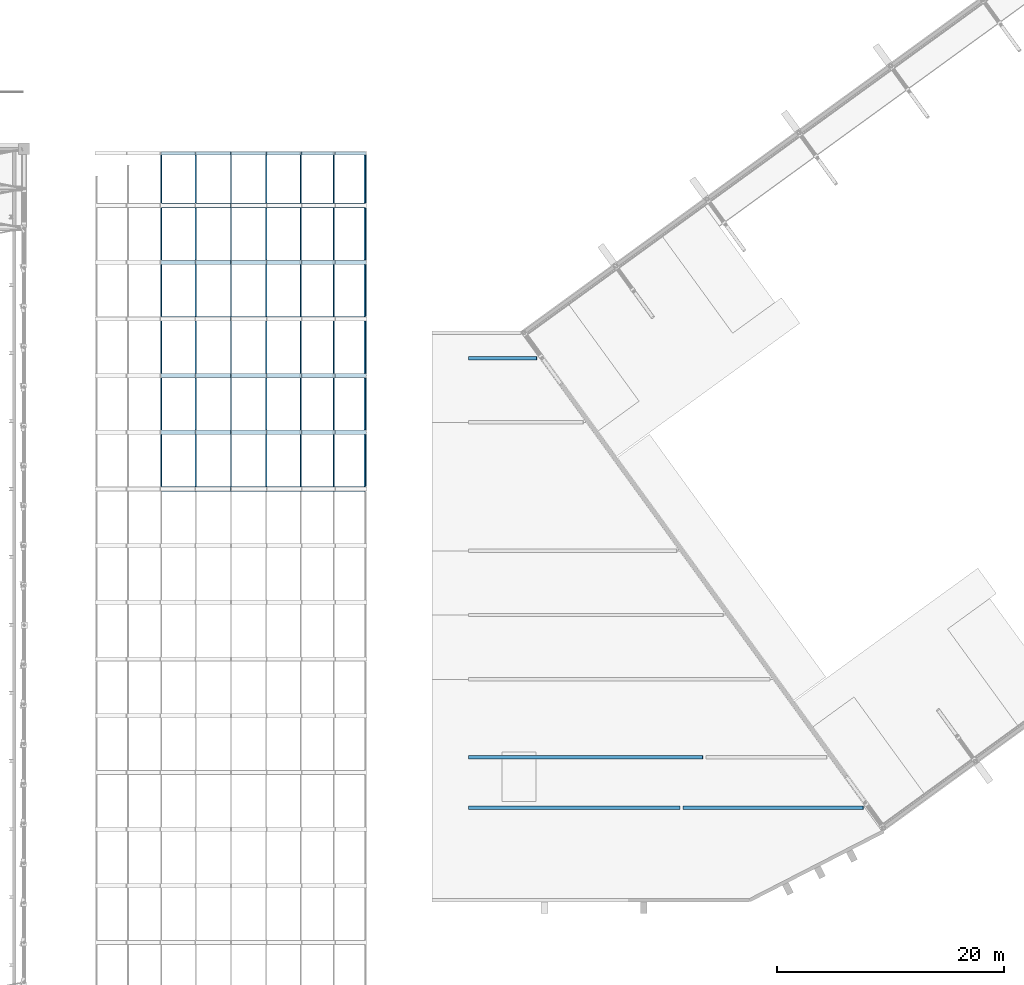
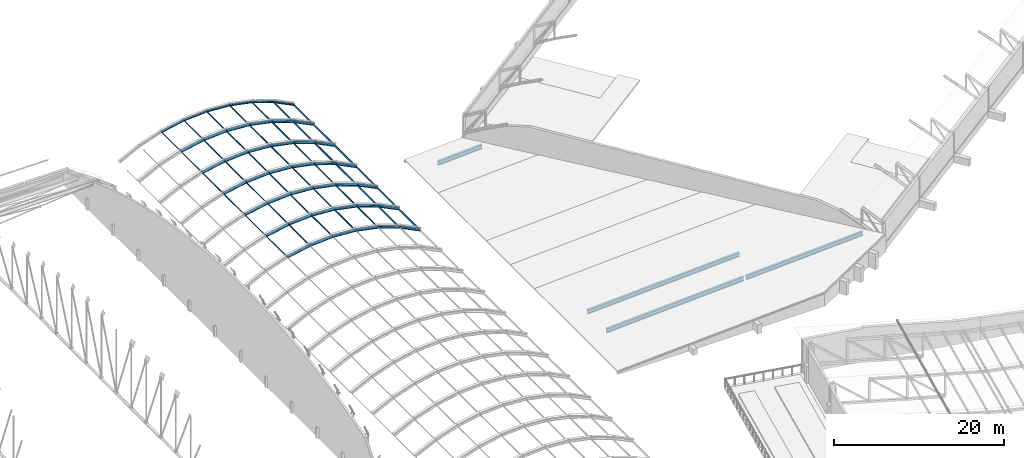
# One storey, part 91 of 196: 84 members, 4 beams.
"""IFC4 building model written with IfcOpenShell, lengths in metres."""

from ifc_helpers import new_model, si_unit, direction, frame, origin, origin_2d, place, context, subcontext, project, spatial, hollow_rectangle, hollow_circle, i_section, extrude, material, material_profile, profile_set, type_object, element, save


model = new_model("IFC4")

# Units and contexts
model_context = context("Model", 3, precision=1e-05, world=origin(), true_north=direction((0.0, 1.0)))
body_context = subcontext(model_context, "Body", "Model", "MODEL_VIEW")
ifc_project = project(units=[si_unit("LENGTHUNIT", "METRE"), si_unit("AREAUNIT", "SQUARE_METRE"), si_unit("VOLUMEUNIT", "CUBIC_METRE"), si_unit("PLANEANGLEUNIT", "RADIAN"), si_unit("MASSUNIT", "GRAM", prefix="KILO")], contexts=[model_context])

# Site, building, storey
site_placement = place(None, origin())
site = spatial("IfcSite", under=ifc_project, at=site_placement, CompositionType="ELEMENT")
building_placement = place(site_placement, origin())
building = spatial("IfcBuilding", under=site, at=building_placement, Name="Okhra Congress Centre", CompositionType="ELEMENT")
storey_placement = place(building_placement, frame((0.0, 0.0, 12.0)))
storey = spatial("IfcBuildingStorey", under=building, at=storey_placement, Name="L02", CompositionType="ELEMENT", Elevation=12.0)

# Beams
ifc_material = material(Name="Steel S355J2", Category="steel")
ifc_material_profile_1 = material_profile(ifc_material, i_section(OverallWidth=0.300048828125, OverallDepth=0.60009765625, WebThickness=0.015380859375, FlangeThickness=0.030029296875, FilletRadius=0.027099609375, at=origin_2d()), Name="HE 600 B")
ifc_profile_set_1 = profile_set([ifc_material_profile_1], Name="Steel S355J2")
beam_type = type_object("IfcBeamType", Name="HE 600 B", PredefinedType="BEAM", material=ifc_profile_set_1)
beam_1_placement = place(storey_placement, frame((193.199951171875, 157.89990234375, 0.1650390625), z_axis=(0.998607228467, 0.0, 0.052759864043), x_axis=(0.0, 1.0, 0.0)))
element("IfcBeam", 1, at=beam_1_placement, inside=storey, type_object=beam_type, Name="Foyer rafter 1.1", PredefinedType="BEAM", context=body_context, shape_type="SweptSolid", body=[
    extrude(i_section(OverallWidth=0.300048828125, OverallDepth=0.60009765625, WebThickness=0.015380859375, FlangeThickness=0.030029296875, FilletRadius=0.027099609375, at=origin_2d()), origin(), (0.0, 0.0, 1.0), 18.67626953125),
])
beam_2_placement = place(storey_placement, frame((212.14990234375, 157.89990234375, 1.150390625), z_axis=(0.998603358223, 0.0, 0.052833066781), x_axis=(0.0, 1.0, 0.0)))
element("IfcBeam", 2, at=beam_2_placement, inside=storey, type_object=beam_type, Name="Foyer rafter 1.2", PredefinedType="BEAM", context=body_context, shape_type="SweptSolid", body=[
    extrude(i_section(OverallWidth=0.300048828125, OverallDepth=0.60009765625, WebThickness=0.015380859375, FlangeThickness=0.030029296875, FilletRadius=0.027099609375, at=origin_2d()), origin(), (0.0, 0.0, 1.0), 15.886962890625),
])
beam_3_placement = place(storey_placement, frame((193.199951171875, 162.35009765625, 0.1650390625), z_axis=(0.998609598395, 0.0, 0.052714988317), x_axis=(0.0, 1.0, 0.0)))
element("IfcBeam", 3, at=beam_3_placement, inside=storey, type_object=beam_type, Name="Foyer rafter 2.1", PredefinedType="BEAM", context=body_context, shape_type="SweptSolid", body=[
    extrude(i_section(OverallWidth=0.300048828125, OverallDepth=0.60009765625, WebThickness=0.015380859375, FlangeThickness=0.030029296875, FilletRadius=0.027099609375, at=origin_2d()), origin(), (0.0, 0.0, 1.0), 20.678955078125),
])
beam_4_placement = place(storey_placement, frame((193.199951171875, 197.5400390625, 0.1650390625), z_axis=(0.998629784839, 0.0, 0.05233118413), x_axis=(0.0, 1.0, 0.0)))
element("IfcBeam", 4, at=beam_4_placement, inside=storey, type_object=beam_type, Name="Foyer rafter 7", PredefinedType="BEAM", context=body_context, shape_type="SweptSolid", body=[
    extrude(i_section(OverallWidth=0.300048828125, OverallDepth=0.60009765625, WebThickness=0.015380859375, FlangeThickness=0.030029296875, FilletRadius=0.027099609375, at=origin_2d()), origin(), (0.0, 0.0, 1.0), 6.02294921875),
])

# Members
ifc_material_profile_2 = material_profile(ifc_material, hollow_rectangle(XDim=0.10009765625, YDim=0.14990234375, WallThickness=0.00634765625, at=origin_2d()), Name="RHS 150x100x6.3")
ifc_profile_set_2 = profile_set([ifc_material_profile_2], Name="Steel S355J2")
member_type_1 = type_object("IfcMemberType", Name="Steel purlin RHS 150x100x6.3", PredefinedType="PURLIN", material=ifc_profile_set_2)
for number, where, z_axis, x_axis, name in (
    (5, (166.109619140625, 186.203125, 3.18505859375), (0.0, 1.0, 0.0), (-0.965379940391, 0.0, -0.260847792191), "Vault purlin 23.4"),
    (6, (169.15283203125, 186.203125, 3.79541015625), (0.0, 1.0, 0.0), (-0.991307202734, 0.0, -0.131567586459), "Vault purlin 23.5"),
    (7, (172.25, 186.203125, 4.0), (0.0, 1.0, 0.0), (-1.0, 0.0, 0.0), "Vault purlin 23.6"),
    (8, (175.34716796875, 186.203125, 3.79541015625), (0.0, 1.0, 0.0), (-0.991307202734, 0.0, 0.131567586459), "Vault purlin 23.7"),
    (9, (178.390380859375, 186.203125, 3.18505859375), (0.0, 1.0, 0.0), (-0.965379940391, 0.0, 0.260847792191), "Vault purlin 23.8"),
    (10, (166.109619140625, 191.203125, 3.18505859375), (0.0, 1.0, 0.0), (-0.965379940391, 0.0, -0.260847792191), "Vault purlin 24.4"),
    (11, (169.15283203125, 191.203125, 3.79541015625), (0.0, 1.0, 0.0), (-0.991307202734, 0.0, -0.131567586459), "Vault purlin 24.5"),
    (12, (172.25, 191.203125, 4.0), (0.0, 1.0, 0.0), (-1.0, 0.0, 0.0), "Vault purlin 24.6"),
    (13, (175.34716796875, 191.203125, 3.79541015625), (0.0, 1.0, 0.0), (-0.991307202734, 0.0, 0.131567586459), "Vault purlin 24.7"),
    (14, (178.390380859375, 191.203125, 3.18505859375), (0.0, 1.0, 0.0), (-0.965379940391, 0.0, 0.260847792191), "Vault purlin 24.8"),
    (15, (166.109619140625, 196.203125, 3.18505859375), (0.0, 1.0, 0.0), (-0.965379940391, 0.0, -0.260847792191), "Vault purlin 25.4"),
    (16, (169.15283203125, 196.203125, 3.79541015625), (0.0, 1.0, 0.0), (-0.991307202734, 0.0, -0.131567586459), "Vault purlin 25.5"),
    (17, (172.25, 196.203125, 4.0), (0.0, 1.0, 0.0), (-1.0, 0.0, 0.0), "Vault purlin 25.6"),
    (18, (175.34716796875, 196.203125, 3.79541015625), (0.0, 1.0, 0.0), (-0.991307202734, 0.0, 0.131567586459), "Vault purlin 25.7"),
    (19, (178.390380859375, 196.203125, 3.18505859375), (0.0, 1.0, 0.0), (-0.965379940391, 0.0, 0.260847792191), "Vault purlin 25.8"),
    (20, (166.109619140625, 201.203125, 3.18505859375), (0.0, 1.0, 0.0), (-0.965379940391, 0.0, -0.260847792191), "Vault purlin 26.4"),
    (21, (169.15283203125, 201.203125, 3.79541015625), (0.0, 1.0, 0.0), (-0.991307202734, 0.0, -0.131567586459), "Vault purlin 26.5"),
    (22, (172.25, 201.203125, 4.0), (0.0, 1.0, 0.0), (-1.0, 0.0, 0.0), "Vault purlin 26.6"),
    (23, (175.34716796875, 201.203125, 3.79541015625), (0.0, 1.0, 0.0), (-0.991307202734, 0.0, 0.131567586459), "Vault purlin 26.7"),
    (24, (178.390380859375, 201.203125, 3.18505859375), (0.0, 1.0, 0.0), (-0.965379940391, 0.0, 0.260847792191), "Vault purlin 26.8"),
    (25, (166.109619140625, 206.203125, 3.18505859375), (0.0, 1.0, 0.0), (-0.965379940391, 0.0, -0.260847792191), "Vault purlin 27.4"),
    (26, (169.15283203125, 206.203125, 3.79541015625), (0.0, 1.0, 0.0), (-0.991307202734, 0.0, -0.131567586459), "Vault purlin 27.5"),
    (27, (172.25, 206.203125, 4.0), (0.0, 1.0, 0.0), (-1.0, 0.0, 0.0), "Vault purlin 27.6"),
    (28, (175.34716796875, 206.203125, 3.79541015625), (0.0, 1.0, 0.0), (-0.991307202734, 0.0, 0.131567586459), "Vault purlin 27.7"),
    (29, (178.390380859375, 206.203125, 3.18505859375), (0.0, 1.0, 0.0), (-0.965379940391, 0.0, 0.260847792191), "Vault purlin 27.8"),
):
    element("IfcMember", number, at=place(storey_placement, frame(where, z_axis=z_axis, x_axis=x_axis)), inside=storey, type_object=member_type_1, Name=name, PredefinedType="PURLIN", context=body_context, shape_type="SweptSolid", body=[
        extrude(hollow_rectangle(XDim=0.10009765625, YDim=0.14990234375, WallThickness=0.00634765625, at=origin_2d()), origin(), (0.0, 0.0, 1.0), 4.59375),
    ])
for number, where, z_axis, x_axis, name in (
    (30, (166.109619140625, 211.203125, 3.18505859375), (0.0, 1.0, 0.0), (-0.965379940391, 0.0, -0.260847792191), "Vault purlin 28.4"),
    (31, (169.15283203125, 211.203125, 3.79541015625), (0.0, 1.0, 0.0), (-0.991307202734, 0.0, -0.131567586459), "Vault purlin 28.5"),
    (32, (172.25, 211.203125, 4.0), (0.0, 1.0, 0.0), (-1.0, 0.0, 0.0), "Vault purlin 28.6"),
    (33, (175.34716796875, 211.203125, 3.79541015625), (0.0, 1.0, 0.0), (-0.991307202734, 0.0, 0.131567586459), "Vault purlin 28.7"),
    (34, (178.390380859375, 211.203125, 3.18505859375), (0.0, 1.0, 0.0), (-0.965379940391, 0.0, 0.260847792191), "Vault purlin 28.8"),
):
    element("IfcMember", number, at=place(storey_placement, frame(where, z_axis=z_axis, x_axis=x_axis)), inside=storey, type_object=member_type_1, Name=name, PredefinedType="PURLIN", context=body_context, shape_type="SweptSolid", body=[
        extrude(hollow_rectangle(XDim=0.10009765625, YDim=0.14990234375, WallThickness=0.00634765625, at=origin_2d()), origin(), (0.0, 0.0, 1.0), 4.23486328125),
    ])
ifc_material_profile_3 = material_profile(ifc_material, hollow_rectangle(XDim=0.10009765625, YDim=0.199951171875, WallThickness=0.008056640625, at=origin_2d()), Name="RHS 200x100x8")
ifc_profile_set_3 = profile_set([ifc_material_profile_3], Name="Steel S355J2")
member_type_2 = type_object("IfcMemberType", Name="Steel purlin RHS 200x100x8", PredefinedType="PURLIN", material=ifc_profile_set_3)
for number, where, z_axis, x_axis, name in (
    (35, (181.3173828125, 186.203125, 2.156494140625), (0.0, 1.0, 0.0), (-0.922668973833, 0.0, 0.38559300399), "Vault purlin 23.9"),
    (36, (184.093017578125, 186.203125, 0.77490234375), (0.0, 1.0, 0.0), (-0.86391685861, 0.0, 0.503634452167), "Vault purlin 23.10"),
    (37, (181.3173828125, 191.203125, 2.156494140625), (0.0, 1.0, 0.0), (-0.922668973833, 0.0, 0.38559300399), "Vault purlin 24.9"),
    (38, (184.093017578125, 191.203125, 0.77490234375), (0.0, 1.0, 0.0), (-0.86391685861, 0.0, 0.503634452167), "Vault purlin 24.10"),
    (39, (181.3173828125, 196.203125, 2.156494140625), (0.0, 1.0, 0.0), (-0.922668973833, 0.0, 0.38559300399), "Vault purlin 25.9"),
    (40, (184.093017578125, 196.203125, 0.77490234375), (0.0, 1.0, 0.0), (-0.86391685861, 0.0, 0.503634452167), "Vault purlin 25.10"),
    (41, (181.3173828125, 201.203125, 2.156494140625), (0.0, 1.0, 0.0), (-0.922668973833, 0.0, 0.38559300399), "Vault purlin 26.9"),
    (42, (184.093017578125, 201.203125, 0.77490234375), (0.0, 1.0, 0.0), (-0.86391685861, 0.0, 0.503634452167), "Vault purlin 26.10"),
    (43, (181.3173828125, 206.203125, 2.156494140625), (0.0, 1.0, 0.0), (-0.922668973833, 0.0, 0.38559300399), "Vault purlin 27.9"),
    (44, (184.093017578125, 206.203125, 0.77490234375), (0.0, 1.0, 0.0), (-0.86391685861, 0.0, 0.503634452167), "Vault purlin 27.10"),
):
    element("IfcMember", number, at=place(storey_placement, frame(where, z_axis=z_axis, x_axis=x_axis)), inside=storey, type_object=member_type_2, Name=name, PredefinedType="PURLIN", context=body_context, shape_type="SweptSolid", body=[
        extrude(hollow_rectangle(XDim=0.10009765625, YDim=0.199951171875, WallThickness=0.008056640625, at=origin_2d()), origin(), (0.0, 0.0, 1.0), 4.59375),
    ])
for number, where, z_axis, x_axis, name in (
    (45, (181.3173828125, 211.203125, 2.156494140625), (0.0, 1.0, 0.0), (-0.922668973833, 0.0, 0.38559300399), "Vault purlin 28.9"),
    (46, (184.093017578125, 211.203125, 0.77490234375), (0.0, 1.0, 0.0), (-0.86391685861, 0.0, 0.503634452167), "Vault purlin 28.10"),
):
    element("IfcMember", number, at=place(storey_placement, frame(where, z_axis=z_axis, x_axis=x_axis)), inside=storey, type_object=member_type_2, Name=name, PredefinedType="PURLIN", context=body_context, shape_type="SweptSolid", body=[
        extrude(hollow_rectangle(XDim=0.10009765625, YDim=0.199951171875, WallThickness=0.008056640625, at=origin_2d()), origin(), (0.0, 0.0, 1.0), 4.23486328125),
    ])
ifc_material_profile_4 = material_profile(ifc_material, hollow_circle(Radius=0.203125, WallThickness=0.01611328125, at=origin_2d()), Name="CHS 406.4x16")
ifc_profile_set_4 = profile_set([ifc_material_profile_4], Name="Steel S355J2")
member_type_3 = type_object("IfcMemberType", Name="Tubular steel arch rib CHS 406x16", PredefinedType="USERDEFINED", material=ifc_profile_set_4)
for number, where, z_axis, x_axis, name in (
    (47, (166.122802734375, 186.0, 3.187744140625), (0.980479837883, 0.0, 0.196619651879), (0.0, 1.0, 0.0), "Arch rib 23.5"),
    (48, (169.166259765625, 186.0, 3.796142578125), (0.997823956231, 0.0, 0.065934455123), (0.0, 1.0, 0.0), "Arch rib 23.6"),
    (49, (172.263427734375, 186.0, 3.9990234375), (0.997823956231, 0.0, -0.065934455123), (0.0, 1.0, 0.0), "Arch rib 23.7"),
    (50, (175.3603515625, 186.0, 3.792724609375), (0.980479837883, 0.0, -0.196619651879), (0.0, 1.0, 0.0), "Arch rib 23.8"),
):
    element("IfcMember", number, at=place(storey_placement, frame(where, z_axis=z_axis, x_axis=x_axis)), inside=storey, type_object=member_type_3, Name=name, ObjectType="Arch rib", PredefinedType="USERDEFINED", context=body_context, shape_type="SweptSolid", body=[
        extrude(hollow_circle(Radius=0.203125, WallThickness=0.01611328125, at=origin_2d()), origin(), (0.0, 0.0, 1.0), 3.076904296875),
    ])
for number, where, z_axis, x_axis, name in (
    (51, (178.4033203125, 186.0, 3.1806640625), (0.946089135599, 0.0, -0.323906386942), (0.0, 1.0, 0.0), "Arch rib 23.9"),
    (52, (181.339111328125, 186.0, 2.173583984375), (0.895219276519, 0.0, -0.44562590471), (0.0, 1.0, 0.0), "Arch rib 23.10"),
):
    element("IfcMember", number, at=place(storey_placement, frame(where, z_axis=z_axis, x_axis=x_axis)), inside=storey, type_object=member_type_3, Name=name, ObjectType="Arch rib", PredefinedType="USERDEFINED", context=body_context, shape_type="SweptSolid", body=[
        extrude(hollow_circle(Radius=0.203125, WallThickness=0.01611328125, at=origin_2d()), origin(), (0.0, 0.0, 1.0), 3.07666015625),
    ])
for number, where, z_axis, x_axis, name in (
    (53, (166.122802734375, 191.0, 3.187744140625), (0.980479837883, 0.0, 0.196619651879), (0.0, 1.0, 0.0), "Arch rib 24.5"),
    (54, (169.166259765625, 191.0, 3.796142578125), (0.997823956231, 0.0, 0.065934455123), (0.0, 1.0, 0.0), "Arch rib 24.6"),
    (55, (172.263427734375, 191.0, 3.9990234375), (0.997823956231, 0.0, -0.065934455123), (0.0, 1.0, 0.0), "Arch rib 24.7"),
    (56, (175.3603515625, 191.0, 3.792724609375), (0.980479837883, 0.0, -0.196619651879), (0.0, 1.0, 0.0), "Arch rib 24.8"),
):
    element("IfcMember", number, at=place(storey_placement, frame(where, z_axis=z_axis, x_axis=x_axis)), inside=storey, type_object=member_type_3, Name=name, ObjectType="Arch rib", PredefinedType="USERDEFINED", context=body_context, shape_type="SweptSolid", body=[
        extrude(hollow_circle(Radius=0.203125, WallThickness=0.01611328125, at=origin_2d()), origin(), (0.0, 0.0, 1.0), 3.076904296875),
    ])
for number, where, z_axis, x_axis, name in (
    (57, (178.4033203125, 191.0, 3.1806640625), (0.946089135599, 0.0, -0.323906386942), (0.0, 1.0, 0.0), "Arch rib 24.9"),
    (58, (181.339111328125, 191.0, 2.173583984375), (0.895219276519, 0.0, -0.44562590471), (0.0, 1.0, 0.0), "Arch rib 24.10"),
):
    element("IfcMember", number, at=place(storey_placement, frame(where, z_axis=z_axis, x_axis=x_axis)), inside=storey, type_object=member_type_3, Name=name, ObjectType="Arch rib", PredefinedType="USERDEFINED", context=body_context, shape_type="SweptSolid", body=[
        extrude(hollow_circle(Radius=0.203125, WallThickness=0.01611328125, at=origin_2d()), origin(), (0.0, 0.0, 1.0), 3.07666015625),
    ])
for number, where, z_axis, x_axis, name in (
    (59, (166.122802734375, 196.0, 3.187744140625), (0.980479837883, 0.0, 0.196619651879), (0.0, 1.0, 0.0), "Arch rib 25.5"),
    (60, (169.166259765625, 196.0, 3.796142578125), (0.997823956231, 0.0, 0.065934455123), (0.0, 1.0, 0.0), "Arch rib 25.6"),
    (61, (172.263427734375, 196.0, 3.9990234375), (0.997823956231, 0.0, -0.065934455123), (0.0, 1.0, 0.0), "Arch rib 25.7"),
    (62, (175.3603515625, 196.0, 3.792724609375), (0.980479837883, 0.0, -0.196619651879), (0.0, 1.0, 0.0), "Arch rib 25.8"),
):
    element("IfcMember", number, at=place(storey_placement, frame(where, z_axis=z_axis, x_axis=x_axis)), inside=storey, type_object=member_type_3, Name=name, ObjectType="Arch rib", PredefinedType="USERDEFINED", context=body_context, shape_type="SweptSolid", body=[
        extrude(hollow_circle(Radius=0.203125, WallThickness=0.01611328125, at=origin_2d()), origin(), (0.0, 0.0, 1.0), 3.076904296875),
    ])
for number, where, z_axis, x_axis, name in (
    (63, (178.4033203125, 196.0, 3.1806640625), (0.946089135599, 0.0, -0.323906386942), (0.0, 1.0, 0.0), "Arch rib 25.9"),
    (64, (181.339111328125, 196.0, 2.173583984375), (0.895219276519, 0.0, -0.44562590471), (0.0, 1.0, 0.0), "Arch rib 25.10"),
):
    element("IfcMember", number, at=place(storey_placement, frame(where, z_axis=z_axis, x_axis=x_axis)), inside=storey, type_object=member_type_3, Name=name, ObjectType="Arch rib", PredefinedType="USERDEFINED", context=body_context, shape_type="SweptSolid", body=[
        extrude(hollow_circle(Radius=0.203125, WallThickness=0.01611328125, at=origin_2d()), origin(), (0.0, 0.0, 1.0), 3.07666015625),
    ])
for number, where, z_axis, x_axis, name in (
    (65, (166.122802734375, 201.0, 3.187744140625), (0.980479837883, 0.0, 0.196619651879), (0.0, 1.0, 0.0), "Arch rib 26.5"),
    (66, (169.166259765625, 201.0, 3.796142578125), (0.997823956231, 0.0, 0.065934455123), (0.0, 1.0, 0.0), "Arch rib 26.6"),
    (67, (172.263427734375, 201.0, 3.9990234375), (0.997823956231, 0.0, -0.065934455123), (0.0, 1.0, 0.0), "Arch rib 26.7"),
    (68, (175.3603515625, 201.0, 3.792724609375), (0.980479837883, 0.0, -0.196619651879), (0.0, 1.0, 0.0), "Arch rib 26.8"),
):
    element("IfcMember", number, at=place(storey_placement, frame(where, z_axis=z_axis, x_axis=x_axis)), inside=storey, type_object=member_type_3, Name=name, ObjectType="Arch rib", PredefinedType="USERDEFINED", context=body_context, shape_type="SweptSolid", body=[
        extrude(hollow_circle(Radius=0.203125, WallThickness=0.01611328125, at=origin_2d()), origin(), (0.0, 0.0, 1.0), 3.076904296875),
    ])
for number, where, z_axis, x_axis, name in (
    (69, (178.4033203125, 201.0, 3.1806640625), (0.946089135599, 0.0, -0.323906386942), (0.0, 1.0, 0.0), "Arch rib 26.9"),
    (70, (181.339111328125, 201.0, 2.173583984375), (0.895219276519, 0.0, -0.44562590471), (0.0, 1.0, 0.0), "Arch rib 26.10"),
):
    element("IfcMember", number, at=place(storey_placement, frame(where, z_axis=z_axis, x_axis=x_axis)), inside=storey, type_object=member_type_3, Name=name, ObjectType="Arch rib", PredefinedType="USERDEFINED", context=body_context, shape_type="SweptSolid", body=[
        extrude(hollow_circle(Radius=0.203125, WallThickness=0.01611328125, at=origin_2d()), origin(), (0.0, 0.0, 1.0), 3.07666015625),
    ])
for number, where, z_axis, x_axis, name in (
    (71, (166.122802734375, 206.0, 3.187744140625), (0.980479837883, 0.0, 0.196619651879), (0.0, 1.0, 0.0), "Arch rib 27.5"),
    (72, (169.166259765625, 206.0, 3.796142578125), (0.997823956231, 0.0, 0.065934455123), (0.0, 1.0, 0.0), "Arch rib 27.6"),
    (73, (172.263427734375, 206.0, 3.9990234375), (0.997823956231, 0.0, -0.065934455123), (0.0, 1.0, 0.0), "Arch rib 27.7"),
    (74, (175.3603515625, 206.0, 3.792724609375), (0.980479837883, 0.0, -0.196619651879), (0.0, 1.0, 0.0), "Arch rib 27.8"),
):
    element("IfcMember", number, at=place(storey_placement, frame(where, z_axis=z_axis, x_axis=x_axis)), inside=storey, type_object=member_type_3, Name=name, ObjectType="Arch rib", PredefinedType="USERDEFINED", context=body_context, shape_type="SweptSolid", body=[
        extrude(hollow_circle(Radius=0.203125, WallThickness=0.01611328125, at=origin_2d()), origin(), (0.0, 0.0, 1.0), 3.076904296875),
    ])
for number, where, z_axis, x_axis, name in (
    (75, (178.4033203125, 206.0, 3.1806640625), (0.946089135599, 0.0, -0.323906386942), (0.0, 1.0, 0.0), "Arch rib 27.9"),
    (76, (181.339111328125, 206.0, 2.173583984375), (0.895219276519, 0.0, -0.44562590471), (0.0, 1.0, 0.0), "Arch rib 27.10"),
):
    element("IfcMember", number, at=place(storey_placement, frame(where, z_axis=z_axis, x_axis=x_axis)), inside=storey, type_object=member_type_3, Name=name, ObjectType="Arch rib", PredefinedType="USERDEFINED", context=body_context, shape_type="SweptSolid", body=[
        extrude(hollow_circle(Radius=0.203125, WallThickness=0.01611328125, at=origin_2d()), origin(), (0.0, 0.0, 1.0), 3.07666015625),
    ])
for number, where, z_axis, x_axis, name in (
    (77, (166.122802734375, 211.0, 3.187744140625), (0.980479837883, 0.0, 0.196619651879), (0.0, 1.0, 0.0), "Arch rib 28.5"),
    (78, (169.166259765625, 211.0, 3.796142578125), (0.997823956231, 0.0, 0.065934455123), (0.0, 1.0, 0.0), "Arch rib 28.6"),
    (79, (172.263427734375, 211.0, 3.9990234375), (0.997823956231, 0.0, -0.065934455123), (0.0, 1.0, 0.0), "Arch rib 28.7"),
    (80, (175.3603515625, 211.0, 3.792724609375), (0.980479837883, 0.0, -0.196619651879), (0.0, 1.0, 0.0), "Arch rib 28.8"),
):
    element("IfcMember", number, at=place(storey_placement, frame(where, z_axis=z_axis, x_axis=x_axis)), inside=storey, type_object=member_type_3, Name=name, ObjectType="Arch rib", PredefinedType="USERDEFINED", context=body_context, shape_type="SweptSolid", body=[
        extrude(hollow_circle(Radius=0.203125, WallThickness=0.01611328125, at=origin_2d()), origin(), (0.0, 0.0, 1.0), 3.076904296875),
    ])
for number, where, z_axis, x_axis, name in (
    (81, (178.4033203125, 211.0, 3.1806640625), (0.946089135599, 0.0, -0.323906386942), (0.0, 1.0, 0.0), "Arch rib 28.9"),
    (82, (181.339111328125, 211.0, 2.173583984375), (0.895219276519, 0.0, -0.44562590471), (0.0, 1.0, 0.0), "Arch rib 28.10"),
):
    element("IfcMember", number, at=place(storey_placement, frame(where, z_axis=z_axis, x_axis=x_axis)), inside=storey, type_object=member_type_3, Name=name, ObjectType="Arch rib", PredefinedType="USERDEFINED", context=body_context, shape_type="SweptSolid", body=[
        extrude(hollow_circle(Radius=0.203125, WallThickness=0.01611328125, at=origin_2d()), origin(), (0.0, 0.0, 1.0), 3.07666015625),
    ])
ifc_material_profile_5 = material_profile(ifc_material, hollow_circle(Radius=0.161865234375, WallThickness=0.012451171875, at=origin_2d()), Name="CHS 323.9x12.5")
ifc_profile_set_5 = profile_set([ifc_material_profile_5], Name="Steel S355J2")
member_type_4 = type_object("IfcMemberType", Name="Tubular steel gable arch CHS 324x12.5", PredefinedType="USERDEFINED", material=ifc_profile_set_5)
for number, where, z_axis, x_axis, name in (
    (83, (166.1201171875, 215.60009765625, 3.187255859375), (0.980486124556, 0.0, 0.196588299632), (0.0, 1.0, 0.0), "Arch rib 29.5"),
    (84, (169.16357421875, 215.60009765625, 3.796142578125), (0.997826319924, 0.0, 0.065898674248), (0.0, 1.0, 0.0), "Arch rib 29.6"),
    (85, (172.2607421875, 215.60009765625, 3.999267578125), (0.997826319924, 0.0, -0.065898674248), (0.0, 1.0, 0.0), "Arch rib 29.7"),
    (86, (175.357666015625, 215.60009765625, 3.793212890625), (0.980486124556, 0.0, -0.196588299632), (0.0, 1.0, 0.0), "Arch rib 29.8"),
    (87, (178.400634765625, 215.60009765625, 3.181640625), (0.946069463767, 0.0, -0.323963840155), (0.0, 1.0, 0.0), "Arch rib 29.9"),
    (88, (181.336669921875, 215.60009765625, 2.1748046875), (0.895217876098, 0.0, -0.445628718008), (0.0, 1.0, 0.0), "Arch rib 29.10"),
):
    element("IfcMember", number, at=place(storey_placement, frame(where, z_axis=z_axis, x_axis=x_axis)), inside=storey, type_object=member_type_4, Name=name, ObjectType="Arch rib", PredefinedType="USERDEFINED", context=body_context, shape_type="SweptSolid", body=[
        extrude(hollow_circle(Radius=0.161865234375, WallThickness=0.012451171875, at=origin_2d()), origin(), (0.0, 0.0, 1.0), 3.082275390625),
    ])

save(model, "model.ifc")
